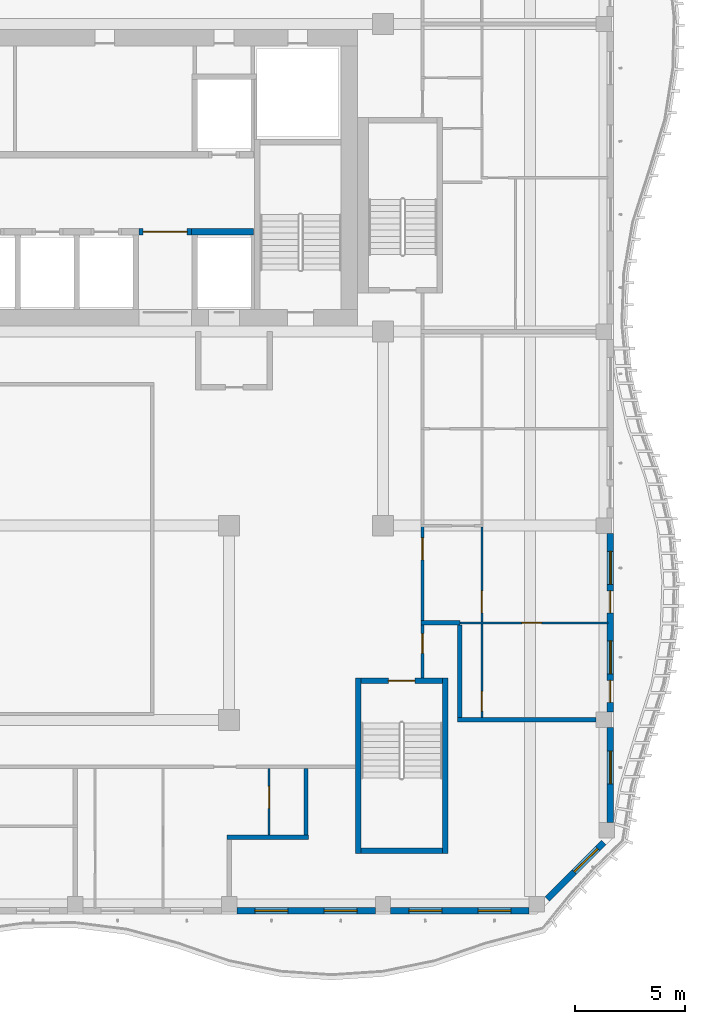
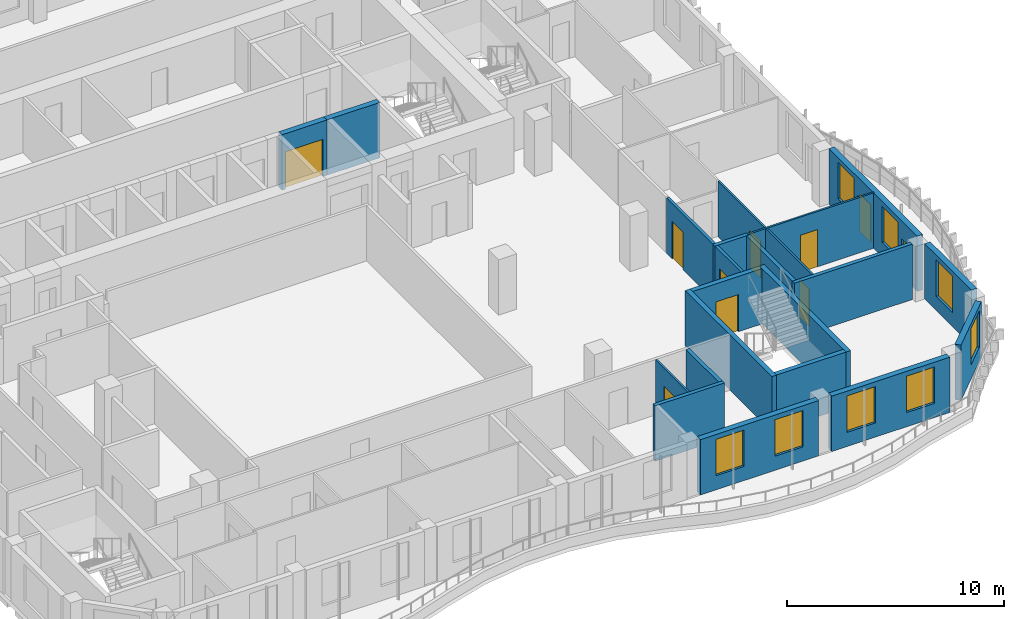
# One storey, part 5 of 19: 22 walls, 10 doors, 8 windows, 18 openings.
"""IFC4 building model written with IfcOpenShell, lengths in metres."""

from ifc_helpers import new_model, si_unit, direction, frame, frame_2d, origin, place, context, subcontext, project, spatial, rectangle, extrude, source, transform, mapped, material, layer, layer_set, type_object, element, fill, save


model = new_model("IFC4")

# Units and contexts
model_context = context("Model", 3, precision=1e-05, world=origin(), true_north=direction((0.0, 1.0)))
body_context = subcontext(model_context, "Body", "Model", "MODEL_VIEW")
ifc_project = project(units=[si_unit("LENGTHUNIT", "METRE"), si_unit("AREAUNIT", "SQUARE_METRE"), si_unit("VOLUMEUNIT", "CUBIC_METRE"), si_unit("PLANEANGLEUNIT", "RADIAN"), si_unit("MASSUNIT", "GRAM", prefix="KILO")], contexts=[model_context])

# Site, building, storey
site_placement = place(None, origin())
site = spatial("IfcSite", under=ifc_project, at=site_placement, CompositionType="ELEMENT")
building_placement = place(site_placement, origin())
building = spatial("IfcBuilding", under=site, at=building_placement, Name="Kilnfold Tower and Market Hall", CompositionType="ELEMENT")
storey_placement = place(building_placement, frame((0.0, 0.0, 245.800048828125)))
storey = spatial("IfcBuildingStorey", under=building, at=storey_placement, Name="L59", CompositionType="ELEMENT", Elevation=245.800048828125)

# Wall, opening, door
ifc_material_1 = material(Name="Gypsum board on steel studs", Category="steel")
ifc_layer_1 = layer(ifc_material_1, 0.14990234375)
ifc_layer_set_1 = layer_set([ifc_layer_1], Name="Gypsum board on steel studs")
wall_type_1 = type_object("IfcWallType", Name="WALL CORRIDOR 150", PredefinedType="PARTITIONING", material=ifc_layer_set_1)
wall_1_placement = place(storey_placement, frame((20.800048828125, -7.75, 0.0), z_axis=(0.0, 0.0, 1.0), x_axis=(0.0, 1.0, 0.0)))
wall_1 = element("IfcWall", 1, at=wall_1_placement, inside=storey, type_object=wall_type_1, Name="Partition LY36.12", PredefinedType="PARTITIONING", context=body_context, shape_type="SweptSolid", body=[
    extrude(rectangle(XDim=2.409912109375, YDim=0.14990234375, at=frame_2d((1.205078125, 0.0))), origin(), (0.0, 0.0, 1.0), 3.119873046875),
])
opening_1_placement = place(wall_1_placement, frame((1.10791015625, 0.0, 0.0)))
opening_1 = element("IfcOpeningElement", 2, at=opening_1_placement, cuts=wall_1, Name="Opening D2", PredefinedType="OPENING", context=body_context, shape_type="SweptSolid", body=[
    extrude(rectangle(XDim=0.89990234375, YDim=2.10009765625, at=frame_2d((0.449951171875, 1.050048828125))), frame((0.0, 0.0849609375, 0.0), z_axis=(0.0, -1.0, 0.0), x_axis=(1.0, 0.0, 0.0)), (0.0, 0.0, 1.0), 0.169921875),
])
ifc_material_2 = material(Name="Timber veneer door leaf in steel frame", Category="steel")
door_type_1 = type_object("IfcDoorType", Name="DOOR ROOM 900 X2100", OperationType="NOTDEFINED", PredefinedType="DOOR", material=ifc_material_2)
door_1_placement = place(opening_1_placement, origin())
door_1 = element("IfcDoor", 3, at=door_1_placement, inside=storey, type_object=door_type_1, Name="Door D2", OperationType="SINGLE_SWING_RIGHT", OverallHeight=2.10009765625, OverallWidth=0.89990234375, PredefinedType="DOOR", context=body_context, shape_type="SweptSolid", body=[
    extrude(rectangle(XDim=0.89990234375, YDim=2.10009765625, at=frame_2d((0.449951171875, 1.050048828125))), frame((0.0, 0.02490234375, 0.0), z_axis=(0.0, -1.0, 0.0), x_axis=(1.0, 0.0, 0.0)), (0.0, 0.0, 1.0), 0.050048828125),
])
fill(opening_1, door_1)

wall_2_placement = place(storey_placement, frame((20.800048828125, -5.159912109375, 0.0), z_axis=(0.0, 0.0, 1.0), x_axis=(0.0, 1.0, 0.0)))
wall_2 = element("IfcWall", 4, at=wall_2_placement, inside=storey, type_object=wall_type_1, Name="Partition LY36.13", PredefinedType="PARTITIONING", context=body_context, shape_type="SweptSolid", body=[
    extrude(rectangle(XDim=4.286865234375, YDim=0.14990234375, at=frame_2d((2.1435546875, 0.0))), origin(), (0.0, 0.0, 1.0), 3.119873046875),
])
opening_2_placement = place(wall_2_placement, frame((2.778076171875, 0.0, 0.0)))
opening_2 = element("IfcOpeningElement", 5, at=opening_2_placement, cuts=wall_2, Name="Opening D1", PredefinedType="OPENING", context=body_context, shape_type="SweptSolid", body=[
    extrude(rectangle(XDim=1.0, YDim=2.10009765625, at=frame_2d((0.5, 1.050048828125))), frame((0.0, 0.0849609375, 0.0), z_axis=(0.0, -1.0, 0.0), x_axis=(1.0, 0.0, 0.0)), (0.0, 0.0, 1.0), 0.169921875),
])
ifc_material_3 = material(Name="Timber veneer door leaf in steel frame", Category="steel")
door_type_2 = type_object("IfcDoorType", Name="DOOR ENTRY 1000 X2100", OperationType="NOTDEFINED", PredefinedType="DOOR", material=ifc_material_3)
door_2_placement = place(opening_2_placement, origin())
door_2 = element("IfcDoor", 6, at=door_2_placement, inside=storey, type_object=door_type_2, Name="Door D1", OperationType="SINGLE_SWING_RIGHT", OverallHeight=2.10009765625, OverallWidth=1.0, PredefinedType="DOOR", context=body_context, shape_type="SweptSolid", body=[
    extrude(rectangle(XDim=1.0, YDim=2.10009765625, at=frame_2d((0.5, 1.050048828125))), frame((0.0, 0.02490234375, 0.0), z_axis=(0.0, -1.0, 0.0), x_axis=(1.0, 0.0, 0.0)), (0.0, 0.0, 1.0), 0.050048828125),
])
fill(opening_2, door_2)

ifc_material_4 = material(Name="Gypsum board on steel studs", Category="steel")
ifc_layer_2 = layer(ifc_material_4, 0.10009765625)
ifc_layer_set_2 = layer_set([ifc_layer_2], Name="Gypsum board on steel studs")
wall_type_2 = type_object("IfcWallType", Name="WALL PARTITION 100", PredefinedType="PARTITIONING", material=ifc_layer_set_2)
wall_3_placement = place(storey_placement, frame((13.820068359375, -14.89990234375, 0.0), z_axis=(0.0, 0.0, 1.0), x_axis=(0.0, 1.0, 0.0)))
wall_3 = element("IfcWall", 7, at=wall_3_placement, inside=storey, type_object=wall_type_2, Name="Partition LY36.61", PredefinedType="PARTITIONING", context=body_context, shape_type="SweptSolid", body=[
    extrude(rectangle(XDim=3.02294921875, YDim=0.10009765625, at=frame_2d((1.511474609375, 0.0))), origin(), (0.0, 0.0, 1.0), 3.119873046875),
])
opening_3_placement = place(wall_3_placement, frame((1.214111328125, 0.0, 0.0)))
opening_3 = element("IfcOpeningElement", 8, at=opening_3_placement, cuts=wall_3, Name="Opening D1", PredefinedType="OPENING", context=body_context, shape_type="SweptSolid", body=[
    extrude(rectangle(XDim=1.0, YDim=2.10009765625, at=frame_2d((0.5, 1.050048828125))), frame((0.0, 0.06005859375, 0.0), z_axis=(0.0, -1.0, 0.0), x_axis=(1.0, 0.0, 0.0)), (0.0, 0.0, 1.0), 0.1201171875),
])
door_3_placement = place(opening_3_placement, origin())
door_3 = element("IfcDoor", 9, at=door_3_placement, inside=storey, type_object=door_type_2, Name="Door D1", OperationType="SINGLE_SWING_LEFT", OverallHeight=2.10009765625, OverallWidth=1.0, PredefinedType="DOOR", context=body_context, shape_type="SweptSolid", body=[
    extrude(rectangle(XDim=1.0, YDim=2.10009765625, at=frame_2d((0.5, 1.050048828125))), frame((0.0, 0.02490234375, 0.0), z_axis=(0.0, -1.0, 0.0), x_axis=(1.0, 0.0, 0.0)), (0.0, 0.0, 1.0), 0.050048828125),
])
fill(opening_3, door_3)

wall_4_placement = place(storey_placement, frame((22.5, -5.25, 0.0), z_axis=(0.0, 0.0, 1.0), x_axis=(1.0, 0.0, 0.0)))
wall_4 = element("IfcWall", 10, at=wall_4_placement, inside=storey, type_object=wall_type_2, Name="Partition LY36.68", PredefinedType="PARTITIONING", context=body_context, shape_type="SweptSolid", body=[
    extrude(rectangle(XDim=6.75, YDim=0.10009765625, at=frame_2d((3.375, 0.0))), origin(), (0.0, 0.0, 1.0), 3.119873046875),
])
opening_4_placement = place(wall_4_placement, frame((2.819091796875, 0.0, 0.0)))
opening_4 = element("IfcOpeningElement", 11, at=opening_4_placement, cuts=wall_4, Name="Opening D2", PredefinedType="OPENING", context=body_context, shape_type="SweptSolid", body=[
    extrude(rectangle(XDim=0.89990234375, YDim=2.10009765625, at=frame_2d((0.449951171875, 1.050048828125))), frame((0.0, 0.06005859375, 0.0), z_axis=(0.0, -1.0, 0.0), x_axis=(1.0, 0.0, 0.0)), (0.0, 0.0, 1.0), 0.1201171875),
])
door_4_placement = place(opening_4_placement, origin())
door_4 = element("IfcDoor", 12, at=door_4_placement, inside=storey, type_object=door_type_1, Name="Door D2", OperationType="SINGLE_SWING_RIGHT", OverallHeight=2.10009765625, OverallWidth=0.89990234375, PredefinedType="DOOR", context=body_context, shape_type="SweptSolid", body=[
    extrude(rectangle(XDim=0.89990234375, YDim=2.10009765625, at=frame_2d((0.449951171875, 1.050048828125))), frame((0.0, 0.02490234375, 0.0), z_axis=(0.0, -1.0, 0.0), x_axis=(1.0, 0.0, 0.0)), (0.0, 0.0, 1.0), 0.050048828125),
])
fill(opening_4, door_4)

wall_5_placement = place(storey_placement, frame((23.5, -9.56689453125, 0.0), z_axis=(0.0, 0.0, 1.0), x_axis=(0.0, 1.0, 0.0)))
wall_5 = element("IfcWall", 13, at=wall_5_placement, inside=storey, type_object=wall_type_2, Name="Partition LY36.69", PredefinedType="PARTITIONING", context=body_context, shape_type="SweptSolid", body=[
    extrude(rectangle(XDim=4.266845703125, YDim=0.10009765625, at=frame_2d((2.13330078125, 0.0))), origin(), (0.0, 0.0, 1.0), 3.119873046875),
])
opening_5_placement = place(wall_5_placement, frame((0.302001953125, 0.0, 0.0)))
opening_5 = element("IfcOpeningElement", 14, at=opening_5_placement, cuts=wall_5, Name="Opening D2", PredefinedType="OPENING", context=body_context, shape_type="SweptSolid", body=[
    extrude(rectangle(XDim=0.89990234375, YDim=2.10009765625, at=frame_2d((0.449951171875, 1.050048828125))), frame((0.0, 0.06005859375, 0.0), z_axis=(0.0, -1.0, 0.0), x_axis=(1.0, 0.0, 0.0)), (0.0, 0.0, 1.0), 0.1201171875),
])
door_5_placement = place(opening_5_placement, origin())
door_5 = element("IfcDoor", 15, at=door_5_placement, inside=storey, type_object=door_type_1, Name="Door D2", OperationType="SINGLE_SWING_RIGHT", OverallHeight=2.10009765625, OverallWidth=0.89990234375, PredefinedType="DOOR", context=body_context, shape_type="SweptSolid", body=[
    extrude(rectangle(XDim=0.89990234375, YDim=2.10009765625, at=frame_2d((0.449951171875, 1.050048828125))), frame((0.0, 0.02490234375, 0.0), z_axis=(0.0, -1.0, 0.0), x_axis=(1.0, 0.0, 0.0)), (0.0, 0.0, 1.0), 0.050048828125),
])
fill(opening_5, door_5)

wall_6_placement = place(storey_placement, frame((23.5, -5.199951171875, 0.0), z_axis=(0.0, 0.0, 1.0), x_axis=(0.0, 1.0, 0.0)))
wall_6 = element("IfcWall", 16, at=wall_6_placement, inside=storey, type_object=wall_type_2, Name="Partition LY36.71", PredefinedType="PARTITIONING", context=body_context, shape_type="SweptSolid", body=[
    extrude(rectangle(XDim=4.31689453125, YDim=0.10009765625, at=frame_2d((2.158447265625, 0.0))), origin(), (0.0, 0.0, 1.0), 3.119873046875),
])
opening_6_placement = place(wall_6_placement, frame((0.40087890625, 0.0, 0.0)))
opening_6 = element("IfcOpeningElement", 17, at=opening_6_placement, cuts=wall_6, Name="Opening D1", PredefinedType="OPENING", context=body_context, shape_type="SweptSolid", body=[
    extrude(rectangle(XDim=1.0, YDim=2.10009765625, at=frame_2d((0.5, 1.050048828125))), frame((0.0, 0.06005859375, 0.0), z_axis=(0.0, -1.0, 0.0), x_axis=(1.0, 0.0, 0.0)), (0.0, 0.0, 1.0), 0.1201171875),
])
door_6_placement = place(opening_6_placement, origin())
door_6 = element("IfcDoor", 18, at=door_6_placement, inside=storey, type_object=door_type_2, Name="Door D1", OperationType="SINGLE_SWING_LEFT", OverallHeight=2.10009765625, OverallWidth=1.0, PredefinedType="DOOR", context=body_context, shape_type="SweptSolid", body=[
    extrude(rectangle(XDim=1.0, YDim=2.10009765625, at=frame_2d((0.5, 1.050048828125))), frame((0.0, 0.02490234375, 0.0), z_axis=(0.0, -1.0, 0.0), x_axis=(1.0, 0.0, 0.0)), (0.0, 0.0, 1.0), 0.050048828125),
])
fill(opening_6, door_6)

# Walls
ifc_material_5 = material(Name="Gypsum board on steel studs", Category="steel")
ifc_layer_3 = layer(ifc_material_5, 0.199951171875)
ifc_layer_set_3 = layer_set([ifc_layer_3], Name="Gypsum board on steel studs")
wall_type_3 = type_object("IfcWallType", Name="WALL PARTY 200", PredefinedType="PARTITIONING", material=ifc_layer_set_3)
wall_7_placement = place(storey_placement, frame((11.89990234375, -15.0, 0.0), z_axis=(0.0, 0.0, 1.0), x_axis=(1.0, 0.0, 0.0)))
element("IfcWall", 19, at=wall_7_placement, inside=storey, type_object=wall_type_3, Name="Partition LY36.62", PredefinedType="PARTITIONING", context=body_context, shape_type="SweptSolid", body=[
    extrude(rectangle(XDim=3.7001953125, YDim=0.199951171875, at=frame_2d((1.85009765625, 0.0))), origin(), (0.0, 0.0, 1.0), 3.119873046875),
])
wall_8_placement = place(storey_placement, frame((15.5, -14.89990234375, 0.0), z_axis=(0.0, 0.0, 1.0), x_axis=(0.0, 1.0, 0.0)))
element("IfcWall", 20, at=wall_8_placement, inside=storey, type_object=wall_type_3, Name="Partition LY36.64", PredefinedType="PARTITIONING", context=body_context, shape_type="SweptSolid", body=[
    extrude(rectangle(XDim=3.02294921875, YDim=0.199951171875, at=frame_2d((1.511474609375, 0.0))), origin(), (0.0, 0.0, 1.0), 3.119873046875),
])
wall_9_placement = place(storey_placement, frame((22.5, -9.56689453125, 0.0), z_axis=(0.0, 0.0, 1.0), x_axis=(0.0, 1.0, 0.0)))
element("IfcWall", 21, at=wall_9_placement, inside=storey, type_object=wall_type_3, Name="Partition LY36.65", PredefinedType="PARTITIONING", context=body_context, shape_type="SweptSolid", body=[
    extrude(rectangle(XDim=4.216796875, YDim=0.199951171875, at=frame_2d((2.1083984375, 0.0))), origin(), (0.0, 0.0, 1.0), 3.119873046875),
])
wall_10_placement = place(storey_placement, frame((22.39990234375, -9.6669921875, 0.0), z_axis=(0.0, 0.0, 1.0), x_axis=(1.0, 0.0, 0.0)))
element("IfcWall", 22, at=wall_10_placement, inside=storey, type_object=wall_type_3, Name="Partition LY36.66", PredefinedType="PARTITIONING", context=body_context, shape_type="SweptSolid", body=[
    extrude(rectangle(XDim=6.300048828125, YDim=0.199951171875, at=frame_2d((3.14990234375, 0.0))), origin(), (0.0, 0.0, 1.0), 3.119873046875),
])
wall_11_placement = place(storey_placement, frame((20.72705078125, -5.25, 0.0), z_axis=(0.0, 0.0, 1.0), x_axis=(1.0, 0.0, 0.0)))
element("IfcWall", 23, at=wall_11_placement, inside=storey, type_object=wall_type_3, Name="Partition LY36.67", PredefinedType="PARTITIONING", context=body_context, shape_type="SweptSolid", body=[
    extrude(rectangle(XDim=1.77294921875, YDim=0.199951171875, at=frame_2d((0.886474609375, 0.0))), origin(), (0.0, 0.0, 1.0), 3.119873046875),
])
ifc_material_6 = material(Name="Concrete C60", Category="concrete")
ifc_layer_4 = layer(ifc_material_6, 0.25)
ifc_layer_set_4 = layer_set([ifc_layer_4], Name="Concrete C60")
wall_type_4 = type_object("IfcWallType", Name="CORE WALL 250 C60", PredefinedType="SHEAR", material=ifc_layer_set_4)
shared_shape_1 = source(origin(), body_context, "Body", "SweptSolid", [
    extrude(rectangle(XDim=3.699951171875, YDim=0.25, at=frame_2d((1.85009765625, 0.0))), origin(), (0.0, 0.0, 1.0), 3.119873046875),
])
wall_12_placement = place(storey_placement, frame((18.0, -15.625, 0.0), z_axis=(0.0, 0.0, 1.0), x_axis=(1.0, 0.0, 0.0)))
element("IfcWall", 24, at=wall_12_placement, inside=storey, type_object=wall_type_4, Name="Stair enclosure ST4", PredefinedType="SHEAR", context=body_context, shape_type="MappedRepresentation", body=[
    mapped(shared_shape_1, transform((0.0, 0.0, 0.0))),
])

# Wall, opening, door
wall_13_placement = place(storey_placement, frame((18.0, -7.875, 0.0), z_axis=(0.0, 0.0, 1.0), x_axis=(1.0, 0.0, 0.0)))
wall_13 = element("IfcWall", 25, at=wall_13_placement, inside=storey, type_object=wall_type_4, Name="Stair enclosure ST4", PredefinedType="SHEAR", context=body_context, shape_type="MappedRepresentation", body=[
    mapped(shared_shape_1, transform((0.0, 0.0, 0.0))),
])
opening_7_placement = place(wall_13_placement, frame((1.25, 0.0, 0.0)))
opening_7 = element("IfcOpeningElement", 26, at=opening_7_placement, cuts=wall_13, Name="Opening SD1", PredefinedType="OPENING", context=body_context, shape_type="SweptSolid", body=[
    extrude(rectangle(XDim=1.199951171875, YDim=2.10009765625, at=frame_2d((0.60009765625, 1.050048828125))), frame((0.0, 0.135009765625, 0.0), z_axis=(0.0, -1.0, 0.0), x_axis=(1.0, 0.0, 0.0)), (0.0, 0.0, 1.0), 0.27001953125),
])
ifc_material_7 = material(Name="Steel door set with fire-resisting leaf", Category="steel")
door_type_3 = type_object("IfcDoorType", Name="STAIR FLOOR DOOR 1200X2100", OperationType="NOTDEFINED", PredefinedType="DOOR", material=ifc_material_7)
door_7_placement = place(opening_7_placement, origin())
door_7 = element("IfcDoor", 27, at=door_7_placement, inside=storey, type_object=door_type_3, Name="Exit stair ST4 door", OperationType="DOUBLE_DOOR_SINGLE_SWING", OverallHeight=2.10009765625, OverallWidth=1.199951171875, PredefinedType="DOOR", context=body_context, shape_type="SweptSolid", body=[
    extrude(rectangle(XDim=1.199951171875, YDim=2.10009765625, at=frame_2d((0.60009765625, 1.050048828125))), frame((0.0, 0.02490234375, 0.0), z_axis=(0.0, -1.0, 0.0), x_axis=(1.0, 0.0, 0.0)), (0.0, 0.0, 1.0), 0.050048828125),
])
fill(opening_7, door_7)

# Walls
shared_shape_2 = source(origin(), body_context, "Body", "SweptSolid", [
    extrude(rectangle(XDim=8.0, YDim=0.25, at=frame_2d((4.0, 0.0))), origin(), (0.0, 0.0, 1.0), 3.119873046875),
])
for number, where, z_axis, x_axis, name in (
    (28, (17.875, -15.75, 0.0), (0.0, 0.0, 1.0), (0.0, 1.0, 0.0), "Stair enclosure ST4"),
    (29, (21.824951171875, -15.75, 0.0), (0.0, 0.0, 1.0), (0.0, 1.0, 0.0), "Stair enclosure ST4"),
):
    element("IfcWall", number, at=place(storey_placement, frame(where, z_axis=z_axis, x_axis=x_axis)), inside=storey, type_object=wall_type_4, Name=name, PredefinedType="SHEAR", context=body_context, shape_type="MappedRepresentation", body=[
        mapped(shared_shape_2, transform((0.0, 0.0, 0.0))),
    ])
ifc_material_8 = material(Name="Concrete C60", Category="concrete")
ifc_layer_5 = layer(ifc_material_8, 0.300048828125)
ifc_layer_set_5 = layer_set([ifc_layer_5], Name="Concrete C60")
wall_type_5 = type_object("IfcWallType", Name="CORE WALL 300 C60", PredefinedType="SHEAR", material=ifc_layer_set_5)
shared_shape_3 = source(origin(), body_context, "Body", "SweptSolid", [
    extrude(rectangle(XDim=2.820068359375, YDim=0.300048828125, at=frame_2d((1.41015625, 0.0))), origin(), (0.0, 0.0, 1.0), 3.119873046875),
])
wall_14_placement = place(storey_placement, frame((10.2900390625, 12.550048828125, 0.0), z_axis=(0.0, 0.0, 1.0), x_axis=(1.0, 0.0, 0.0)))
element("IfcWall", 30, at=wall_14_placement, inside=storey, type_object=wall_type_5, Name="Core spine wall", PredefinedType="SHEAR", context=body_context, shape_type="MappedRepresentation", body=[
    mapped(shared_shape_3, transform((0.0, 0.0, 0.0))),
])

# Wall, openings, windows
ifc_material_9 = material(Name="Precast concrete C50/60", Category="concrete")
ifc_layer_6 = layer(ifc_material_9, 0.300048828125)
ifc_layer_set_6 = layer_set([ifc_layer_6], Name="Precast concrete C50/60")
wall_type_6 = type_object("IfcWallType", Name="PRECAST WALL 300", PredefinedType="SOLIDWALL", material=ifc_layer_set_6)
shared_shape_4 = source(origin(), body_context, "Body", "SweptSolid", [
    extrude(rectangle(XDim=6.2998046875, YDim=0.300048828125, at=frame_2d((3.14990234375, 0.0))), origin(), (0.0, 0.0, 1.0), 3.119873046875),
])
wall_15_placement = place(storey_placement, frame((12.35009765625, -18.35009765625, 0.0), z_axis=(0.0, 0.0, 1.0), x_axis=(1.0, 0.0, 0.0)))
wall_15 = element("IfcWall", 31, at=wall_15_placement, inside=storey, type_object=wall_type_6, Name="External wall L59 S", PredefinedType="SOLIDWALL", context=body_context, shape_type="MappedRepresentation", body=[
    mapped(shared_shape_4, transform((0.0, 0.0, 0.0))),
])
opening_8_placement = place(wall_15_placement, frame((0.824951171875, 0.0, 0.800048828125)))
opening_8 = element("IfcOpeningElement", 32, at=opening_8_placement, cuts=wall_15, Name="Opening W5", PredefinedType="OPENING", context=body_context, shape_type="SweptSolid", body=[
    extrude(rectangle(XDim=1.5, YDim=2.050048828125, at=frame_2d((0.75, 1.02490234375))), frame((0.0, 0.16015625, 0.0), z_axis=(0.0, -1.0, 0.0), x_axis=(1.0, 0.0, 0.0)), (0.0, 0.0, 1.0), 0.320068359375),
])
opening_9_placement = place(wall_15_placement, frame((3.97509765625, 0.0, 0.800048828125)))
opening_9 = element("IfcOpeningElement", 33, at=opening_9_placement, cuts=wall_15, Name="Opening W5", PredefinedType="OPENING", context=body_context, shape_type="SweptSolid", body=[
    extrude(rectangle(XDim=1.5, YDim=2.050048828125, at=frame_2d((0.75, 1.02490234375))), frame((0.0, 0.16015625, 0.0), z_axis=(0.0, -1.0, 0.0), x_axis=(1.0, 0.0, 0.0)), (0.0, 0.0, 1.0), 0.320068359375),
])
ifc_material_10 = material(Name="Aluminium frame and double glazing", Category="aluminium")
window_type = type_object("IfcWindowType", Name="WINDOW W5 1500X2050", PartitioningType="SINGLE_PANEL", PredefinedType="WINDOW", material=ifc_material_10)
window_1_placement = place(opening_8_placement, origin())
window_1 = element("IfcWindow", 34, at=window_1_placement, inside=storey, type_object=window_type, Name="Window W5 L59 S-1", OverallHeight=2.050048828125, OverallWidth=1.5, PartitioningType="SINGLE_PANEL", PredefinedType="WINDOW", context=body_context, shape_type="SweptSolid", body=[
    extrude(rectangle(XDim=1.5, YDim=2.050048828125, at=frame_2d((0.75, 1.02490234375))), frame((0.0, 0.030029296875, 0.0), z_axis=(0.0, -1.0, 0.0), x_axis=(1.0, 0.0, 0.0)), (0.0, 0.0, 1.0), 0.06005859375),
])
fill(opening_8, window_1)
window_2_placement = place(opening_9_placement, origin())
window_2 = element("IfcWindow", 35, at=window_2_placement, inside=storey, type_object=window_type, Name="Window W5 L59 S-2", OverallHeight=2.050048828125, OverallWidth=1.5, PartitioningType="SINGLE_PANEL", PredefinedType="WINDOW", context=body_context, shape_type="SweptSolid", body=[
    extrude(rectangle(XDim=1.5, YDim=2.050048828125, at=frame_2d((0.75, 1.02490234375))), frame((0.0, 0.030029296875, 0.0), z_axis=(0.0, -1.0, 0.0), x_axis=(1.0, 0.0, 0.0)), (0.0, 0.0, 1.0), 0.06005859375),
])
fill(opening_9, window_2)

wall_16_placement = place(storey_placement, frame((19.35009765625, -18.35009765625, 0.0), z_axis=(0.0, 0.0, 1.0), x_axis=(1.0, 0.0, 0.0)))
wall_16 = element("IfcWall", 36, at=wall_16_placement, inside=storey, type_object=wall_type_6, Name="External wall L59 S", PredefinedType="SOLIDWALL", context=body_context, shape_type="MappedRepresentation", body=[
    mapped(shared_shape_4, transform((0.0, 0.0, 0.0))),
])
opening_10_placement = place(wall_16_placement, frame((0.824951171875, 0.0, 0.800048828125)))
opening_10 = element("IfcOpeningElement", 37, at=opening_10_placement, cuts=wall_16, Name="Opening W5", PredefinedType="OPENING", context=body_context, shape_type="SweptSolid", body=[
    extrude(rectangle(XDim=1.5, YDim=2.050048828125, at=frame_2d((0.75, 1.02490234375))), frame((0.0, 0.16015625, 0.0), z_axis=(0.0, -1.0, 0.0), x_axis=(1.0, 0.0, 0.0)), (0.0, 0.0, 1.0), 0.320068359375),
])
opening_11_placement = place(wall_16_placement, frame((3.97509765625, 0.0, 0.800048828125)))
opening_11 = element("IfcOpeningElement", 38, at=opening_11_placement, cuts=wall_16, Name="Opening W5", PredefinedType="OPENING", context=body_context, shape_type="SweptSolid", body=[
    extrude(rectangle(XDim=1.5, YDim=2.050048828125, at=frame_2d((0.75, 1.02490234375))), frame((0.0, 0.16015625, 0.0), z_axis=(0.0, -1.0, 0.0), x_axis=(1.0, 0.0, 0.0)), (0.0, 0.0, 1.0), 0.320068359375),
])
window_3_placement = place(opening_10_placement, origin())
window_3 = element("IfcWindow", 39, at=window_3_placement, inside=storey, type_object=window_type, Name="Window W5 L59 S-1", OverallHeight=2.050048828125, OverallWidth=1.5, PartitioningType="SINGLE_PANEL", PredefinedType="WINDOW", context=body_context, shape_type="SweptSolid", body=[
    extrude(rectangle(XDim=1.5, YDim=2.050048828125, at=frame_2d((0.75, 1.02490234375))), frame((0.0, 0.030029296875, 0.0), z_axis=(0.0, -1.0, 0.0), x_axis=(1.0, 0.0, 0.0)), (0.0, 0.0, 1.0), 0.06005859375),
])
fill(opening_10, window_3)
window_4_placement = place(opening_11_placement, origin())
window_4 = element("IfcWindow", 40, at=window_4_placement, inside=storey, type_object=window_type, Name="Window W5 L59 S-2", OverallHeight=2.050048828125, OverallWidth=1.5, PartitioningType="SINGLE_PANEL", PredefinedType="WINDOW", context=body_context, shape_type="SweptSolid", body=[
    extrude(rectangle(XDim=1.5, YDim=2.050048828125, at=frame_2d((0.75, 1.02490234375))), frame((0.0, 0.030029296875, 0.0), z_axis=(0.0, -1.0, 0.0), x_axis=(1.0, 0.0, 0.0)), (0.0, 0.0, 1.0), 0.06005859375),
])
fill(opening_11, window_4)

# Wall, opening, window
shared_shape_5 = source(origin(), body_context, "Body", "SweptSolid", [
    extrude(rectangle(XDim=3.6416015625, YDim=0.300048828125, at=frame_2d((1.82080078125, 0.0))), origin(), (0.0, 0.0, 1.0), 3.119873046875),
])
wall_17_placement = place(storey_placement, frame((26.468994140625, -17.81884765625, 0.0), z_axis=(0.0, 0.0, 1.0), x_axis=(0.707106781187, 0.707106781187, 0.0)))
wall_17 = element("IfcWall", 41, at=wall_17_placement, inside=storey, type_object=wall_type_6, Name="External wall L59 SE", PredefinedType="SOLIDWALL", context=body_context, shape_type="MappedRepresentation", body=[
    mapped(shared_shape_5, transform((0.0, 0.0, 0.0))),
])
opening_12_placement = place(wall_17_placement, frame((1.75, 0.0, 0.800048828125)))
opening_12 = element("IfcOpeningElement", 42, at=opening_12_placement, cuts=wall_17, Name="Opening W5", PredefinedType="OPENING", context=body_context, shape_type="SweptSolid", body=[
    extrude(rectangle(XDim=1.5, YDim=2.050048828125, at=frame_2d((0.75, 1.02490234375))), frame((0.0, 0.16015625, 0.0), z_axis=(0.0, -1.0, 0.0), x_axis=(1.0, 0.0, 0.0)), (0.0, 0.0, 1.0), 0.320068359375),
])
window_5_placement = place(opening_12_placement, origin())
window_5 = element("IfcWindow", 43, at=window_5_placement, inside=storey, type_object=window_type, Name="Window W5 L59 SE-1", OverallHeight=2.050048828125, OverallWidth=1.5, PartitioningType="SINGLE_PANEL", PredefinedType="WINDOW", context=body_context, shape_type="SweptSolid", body=[
    extrude(rectangle(XDim=1.5, YDim=2.050048828125, at=frame_2d((0.75, 1.02490234375))), frame((0.0, 0.030029296875, 0.0), z_axis=(0.0, -1.0, 0.0), x_axis=(1.0, 0.0, 0.0)), (0.0, 0.0, 1.0), 0.06005859375),
])
fill(opening_12, window_5)

shared_shape_6 = source(origin(), body_context, "Body", "SweptSolid", [
    extrude(rectangle(XDim=4.315185546875, YDim=0.300048828125, at=frame_2d((2.15771484375, 0.0))), origin(), (0.0, 0.0, 1.0), 3.119873046875),
])
wall_18_placement = place(storey_placement, frame((29.35009765625, -14.331787109375, 0.0), z_axis=(0.0, 0.0, 1.0), x_axis=(0.0, 1.0, 0.0)))
wall_18 = element("IfcWall", 44, at=wall_18_placement, inside=storey, type_object=wall_type_6, Name="External wall L59 E", PredefinedType="SOLIDWALL", context=body_context, shape_type="MappedRepresentation", body=[
    mapped(shared_shape_6, transform((0.0, 0.0, 0.0))),
])
opening_13_placement = place(wall_18_placement, frame((1.75, 0.0, 0.800048828125)))
opening_13 = element("IfcOpeningElement", 45, at=opening_13_placement, cuts=wall_18, Name="Opening W5", PredefinedType="OPENING", context=body_context, shape_type="SweptSolid", body=[
    extrude(rectangle(XDim=1.5, YDim=2.050048828125, at=frame_2d((0.75, 1.02490234375))), frame((0.0, 0.16015625, 0.0), z_axis=(0.0, -1.0, 0.0), x_axis=(1.0, 0.0, 0.0)), (0.0, 0.0, 1.0), 0.320068359375),
])
window_6_placement = place(opening_13_placement, origin())
window_6 = element("IfcWindow", 46, at=window_6_placement, inside=storey, type_object=window_type, Name="Window W5 L59 E-1", OverallHeight=2.050048828125, OverallWidth=1.5, PartitioningType="SINGLE_PANEL", PredefinedType="WINDOW", context=body_context, shape_type="SweptSolid", body=[
    extrude(rectangle(XDim=1.5, YDim=2.050048828125, at=frame_2d((0.75, 1.02490234375))), frame((0.0, 0.030029296875, 0.0), z_axis=(0.0, -1.0, 0.0), x_axis=(1.0, 0.0, 0.0)), (0.0, 0.0, 1.0), 0.06005859375),
])
fill(opening_13, window_6)

# Wall, openings, doors, windows
shared_shape_7 = source(origin(), body_context, "Body", "SweptSolid", [
    extrude(rectangle(XDim=8.13330078125, YDim=0.300048828125, at=frame_2d((4.066650390625, 0.0))), origin(), (0.0, 0.0, 1.0), 3.119873046875),
])
wall_19_placement = place(storey_placement, frame((29.35009765625, -9.316650390625, 0.0), z_axis=(0.0, 0.0, 1.0), x_axis=(0.0, 1.0, 0.0)))
wall_19 = element("IfcWall", 47, at=wall_19_placement, inside=storey, type_object=wall_type_6, Name="External wall L59 E", PredefinedType="SOLIDWALL", context=body_context, shape_type="MappedRepresentation", body=[
    mapped(shared_shape_7, transform((0.0, 0.0, 0.0))),
])
opening_14_placement = place(wall_19_placement, frame((1.75, 0.0, 0.800048828125)))
opening_14 = element("IfcOpeningElement", 48, at=opening_14_placement, cuts=wall_19, Name="Opening W5", PredefinedType="OPENING", context=body_context, shape_type="SweptSolid", body=[
    extrude(rectangle(XDim=1.5, YDim=2.050048828125, at=frame_2d((0.75, 1.02490234375))), frame((0.0, 0.16015625, 0.0), z_axis=(0.0, -1.0, 0.0), x_axis=(1.0, 0.0, 0.0)), (0.0, 0.0, 1.0), 0.320068359375),
])
opening_15_placement = place(wall_19_placement, frame((0.449951171875, 0.0, 0.0)))
opening_15 = element("IfcOpeningElement", 49, at=opening_15_placement, cuts=wall_19, Name="Opening BD1", PredefinedType="OPENING", context=body_context, shape_type="SweptSolid", body=[
    extrude(rectangle(XDim=1.0, YDim=2.10009765625, at=frame_2d((0.5, 1.050048828125))), frame((0.0, 0.16015625, 0.0), z_axis=(0.0, -1.0, 0.0), x_axis=(1.0, 0.0, 0.0)), (0.0, 0.0, 1.0), 0.320068359375),
])
opening_16_placement = place(wall_19_placement, frame((5.816650390625, 0.0, 0.800048828125)))
opening_16 = element("IfcOpeningElement", 50, at=opening_16_placement, cuts=wall_19, Name="Opening W5", PredefinedType="OPENING", context=body_context, shape_type="SweptSolid", body=[
    extrude(rectangle(XDim=1.5, YDim=2.050048828125, at=frame_2d((0.75, 1.02490234375))), frame((0.0, 0.16015625, 0.0), z_axis=(0.0, -1.0, 0.0), x_axis=(1.0, 0.0, 0.0)), (0.0, 0.0, 1.0), 0.320068359375),
])
opening_17_placement = place(wall_19_placement, frame((4.5166015625, 0.0, 0.0)))
opening_17 = element("IfcOpeningElement", 51, at=opening_17_placement, cuts=wall_19, Name="Opening BD1", PredefinedType="OPENING", context=body_context, shape_type="SweptSolid", body=[
    extrude(rectangle(XDim=1.0, YDim=2.10009765625, at=frame_2d((0.5, 1.050048828125))), frame((0.0, 0.16015625, 0.0), z_axis=(0.0, -1.0, 0.0), x_axis=(1.0, 0.0, 0.0)), (0.0, 0.0, 1.0), 0.320068359375),
])
ifc_material_11 = material(Name="Aluminium frame and double glazing", Category="aluminium")
door_type_4 = type_object("IfcDoorType", Name="BALCONY DOOR 1000X2100", OperationType="NOTDEFINED", PredefinedType="DOOR", material=ifc_material_11)
door_8_placement = place(opening_15_placement, origin())
door_8 = element("IfcDoor", 52, at=door_8_placement, inside=storey, type_object=door_type_4, Name="Balcony door BD1 L59 E-1", OperationType="SINGLE_SWING_LEFT", OverallHeight=2.10009765625, OverallWidth=1.0, PredefinedType="DOOR", context=body_context, shape_type="SweptSolid", body=[
    extrude(rectangle(XDim=1.0, YDim=2.10009765625, at=frame_2d((0.5, 1.050048828125))), frame((0.0, 0.02490234375, 0.0), z_axis=(0.0, -1.0, 0.0), x_axis=(1.0, 0.0, 0.0)), (0.0, 0.0, 1.0), 0.050048828125),
])
fill(opening_15, door_8)
door_9_placement = place(opening_17_placement, origin())
door_9 = element("IfcDoor", 53, at=door_9_placement, inside=storey, type_object=door_type_4, Name="Balcony door BD1 L59 E-2", OperationType="SINGLE_SWING_RIGHT", OverallHeight=2.10009765625, OverallWidth=1.0, PredefinedType="DOOR", context=body_context, shape_type="SweptSolid", body=[
    extrude(rectangle(XDim=1.0, YDim=2.10009765625, at=frame_2d((0.5, 1.050048828125))), frame((0.0, 0.02490234375, 0.0), z_axis=(0.0, -1.0, 0.0), x_axis=(1.0, 0.0, 0.0)), (0.0, 0.0, 1.0), 0.050048828125),
])
fill(opening_17, door_9)
window_7_placement = place(opening_14_placement, origin())
window_7 = element("IfcWindow", 54, at=window_7_placement, inside=storey, type_object=window_type, Name="Window W5 L59 E-1", OverallHeight=2.050048828125, OverallWidth=1.5, PartitioningType="SINGLE_PANEL", PredefinedType="WINDOW", context=body_context, shape_type="SweptSolid", body=[
    extrude(rectangle(XDim=1.5, YDim=2.050048828125, at=frame_2d((0.75, 1.02490234375))), frame((0.0, 0.030029296875, 0.0), z_axis=(0.0, -1.0, 0.0), x_axis=(1.0, 0.0, 0.0)), (0.0, 0.0, 1.0), 0.06005859375),
])
fill(opening_14, window_7)
window_8_placement = place(opening_16_placement, origin())
window_8 = element("IfcWindow", 55, at=window_8_placement, inside=storey, type_object=window_type, Name="Window W5 L59 E-2", OverallHeight=2.050048828125, OverallWidth=1.5, PartitioningType="SINGLE_PANEL", PredefinedType="WINDOW", context=body_context, shape_type="SweptSolid", body=[
    extrude(rectangle(XDim=1.5, YDim=2.050048828125, at=frame_2d((0.75, 1.02490234375))), frame((0.0, 0.030029296875, 0.0), z_axis=(0.0, -1.0, 0.0), x_axis=(1.0, 0.0, 0.0)), (0.0, 0.0, 1.0), 0.06005859375),
])
fill(opening_16, window_8)

# Wall, opening, door
ifc_material_12 = material(Name="Gypsum shaft wall system")
ifc_layer_7 = layer(ifc_material_12, 0.300048828125)
ifc_layer_set_7 = layer_set([ifc_layer_7], Name="Gypsum shaft wall system")
wall_type_7 = type_object("IfcWallType", Name="SHAFT WALL 300", PredefinedType="PARTITIONING", material=ifc_layer_set_7)
shared_shape_8 = source(origin(), body_context, "Body", "SweptSolid", [
    extrude(rectangle(XDim=2.400146484375, YDim=0.300048828125, at=frame_2d((1.2001953125, 0.0))), origin(), (0.0, 0.0, 1.0), 3.119873046875),
])
wall_20_placement = place(storey_placement, frame((7.889892578125, 12.550048828125, 0.0), z_axis=(0.0, 0.0, 1.0), x_axis=(1.0, 0.0, 0.0)))
wall_20 = element("IfcWall", 56, at=wall_20_placement, inside=storey, type_object=wall_type_7, Name="Lift shaft front wall", PredefinedType="PARTITIONING", context=body_context, shape_type="MappedRepresentation", body=[
    mapped(shared_shape_8, transform((0.0, 0.0, 0.0))),
])
opening_18_placement = place(wall_20_placement, frame((0.199951171875, 0.0, 0.0)))
opening_18 = element("IfcOpeningElement", 57, at=opening_18_placement, cuts=wall_20, Name="Opening VD2", PredefinedType="OPENING", context=body_context, shape_type="SweptSolid", body=[
    extrude(rectangle(XDim=2.0, YDim=2.10009765625, at=frame_2d((1.0, 1.050048828125))), frame((0.0, 0.16015625, 0.0), z_axis=(0.0, -1.0, 0.0), x_axis=(1.0, 0.0, 0.0)), (0.0, 0.0, 1.0), 0.320068359375),
])
ifc_material_13 = material(Name="Steel door set with fire-resisting leaf", Category="steel")
door_type_5 = type_object("IfcDoorType", Name="LIFT LOBBY ENTRANCE DOOR 2000X2100", OperationType="NOTDEFINED", PredefinedType="DOOR", material=ifc_material_13)
door_10_placement = place(opening_18_placement, origin())
door_10 = element("IfcDoor", 58, at=door_10_placement, inside=storey, type_object=door_type_5, Name="Lift lobby entrance door", OperationType="DOUBLE_DOOR_SINGLE_SWING", OverallHeight=2.10009765625, OverallWidth=2.0, PredefinedType="DOOR", context=body_context, shape_type="SweptSolid", body=[
    extrude(rectangle(XDim=2.0, YDim=2.10009765625, at=frame_2d((1.0, 1.050048828125))), frame((0.0, 0.02490234375, 0.0), z_axis=(0.0, -1.0, 0.0), x_axis=(1.0, 0.0, 0.0)), (0.0, 0.0, 1.0), 0.050048828125),
])
fill(opening_18, door_10)

save(model, "model.ifc")
